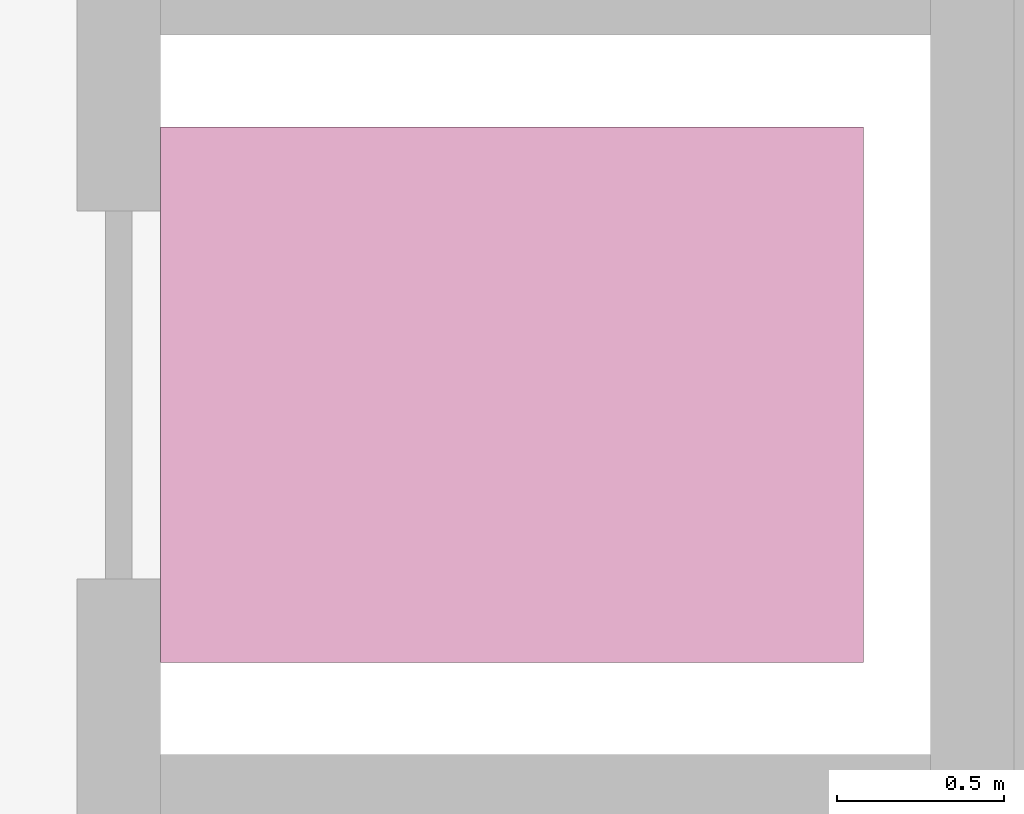
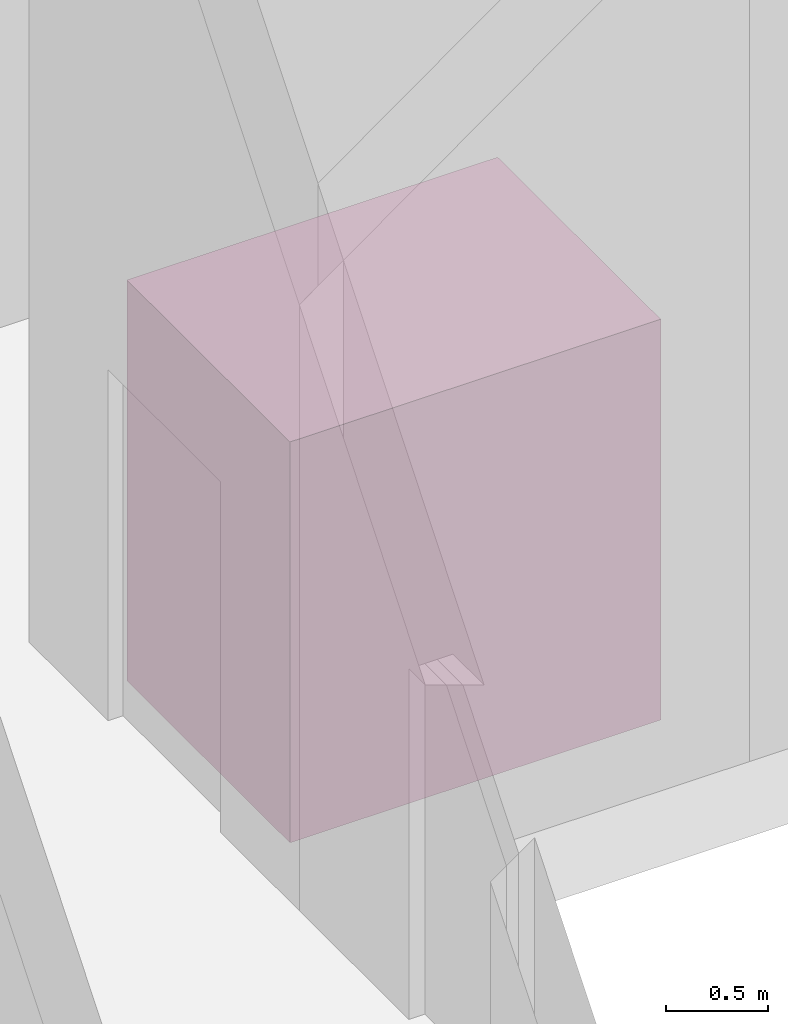
# One storey, part 76 of 76: 1 transport element.
"""IFC4 building model written with IfcOpenShell, lengths in metres."""

import ifcopenshell
import ifcopenshell.guid

model = None  # the IFC model being written
_history = None  # IfcOwnerHistory: only IFC2X3 demands one
_inside = {}  # id of a spatial element -> (the spatial element, [elements in it])
_under = {}  # id of a project, library or spatial element -> (it, [spatial elements below it])
_declared = {}  # id of a project -> (the project, [libraries it declares])
_typed = {}  # id of a type object -> (the type object, [elements of that type])
_made_of = {}  # id of a material, layer set ... -> (it, [elements and type objects made of it])


def new_model(schema):
    """Start an empty IFC model of exactly this schema.

    Asked for "IFC4X3", IfcOpenShell would pick the latest addendum, in which some entities
    have other attributes; the version numbers below select the first issue.
    IFC2X3 requires an IfcOwnerHistory on every rooted entity: one is made here for all.
    """
    global model, _history
    if schema == "IFC4X3":
        model = ifcopenshell.file(schema_version=(4, 3, 0, 0))
    else:
        model = ifcopenshell.file(schema=schema)
    _inside.clear()
    _under.clear()
    _declared.clear()
    _typed.clear()
    _made_of.clear()
    _history = None
    if model.schema == "IFC2X3":
        org = make("IfcOrganization", Name="unknown")
        user = make(
            "IfcPersonAndOrganization",
            ThePerson=make("IfcPerson", FamilyName="unknown"),
            TheOrganization=org,
        )
        app = make(
            "IfcApplication",
            ApplicationDeveloper=org,
            Version="unknown",
            ApplicationFullName="unknown",
            ApplicationIdentifier="unknown",
        )
        _history = make(
            "IfcOwnerHistory",
            OwningUser=user,
            OwningApplication=app,
            ChangeAction="ADDED",
            CreationDate=0,
        )
    return model


def make(cls, **values):
    """One entity of the class cls with the attributes given. An attribute that is None is left unset."""
    return model.create_entity(
        cls, **{name: value for name, value in values.items() if value is not None}
    )


def rooted(cls, **values):
    """An entity with a GlobalId (a new one), such as an element, a storey or a relation."""
    return make(cls, GlobalId=ifcopenshell.guid.new(), OwnerHistory=_history, **values)


def si_unit(unit_type, name, prefix=None):
    """IfcSIUnit, for example si_unit("LENGTHUNIT", "METRE", prefix="MILLI")."""
    return make("IfcSIUnit", UnitType=unit_type, Prefix=prefix, Name=name)


def assignment(units):
    """IfcUnitAssignment: the units of a project."""
    return None if units is None else make("IfcUnitAssignment", Units=units)


def point(xyz):
    """IfcCartesianPoint."""
    return None if xyz is None else make("IfcCartesianPoint", Coordinates=xyz)


def direction(xyz):
    """IfcDirection."""
    return None if xyz is None else make("IfcDirection", DirectionRatios=xyz)


def frame(location, z_axis=None, x_axis=None):
    """IfcAxis2Placement3D, a coordinate frame: its origin and axes. An axis left out is left unset."""
    return make(
        "IfcAxis2Placement3D",
        Location=point(location),
        Axis=direction(z_axis),
        RefDirection=direction(x_axis),
    )


def frame_2d(location, x_axis=None):
    """IfcAxis2Placement2D, a coordinate frame in the plane: its origin and x axis."""
    return make(
        "IfcAxis2Placement2D", Location=point(location), RefDirection=direction(x_axis)
    )


def origin():
    """The frame at (0, 0, 0) with its axes left unset."""
    return frame((0.0, 0.0, 0.0))


def origin_2d():
    """The frame at (0, 0) in the plane with its x axis left unset."""
    return frame_2d((0.0, 0.0))


def place(relative_to, where):
    """IfcLocalPlacement: puts the frame where relative to a parent placement (None: the world)."""
    return make(
        "IfcLocalPlacement", PlacementRelTo=relative_to, RelativePlacement=where
    )


def context(
    kind, dimensions, precision=None, world=None, true_north=None, identifier=None
):
    """IfcGeometricRepresentationContext, for example the 3D "Model" context."""
    return make(
        "IfcGeometricRepresentationContext",
        ContextIdentifier=identifier,
        ContextType=kind,
        CoordinateSpaceDimension=dimensions,
        Precision=precision,
        WorldCoordinateSystem=world,
        TrueNorth=true_north,
    )


def subcontext(parent, identifier, kind, view, scale=None):
    """IfcGeometricRepresentationSubContext, for example "Body" below "Model"."""
    return make(
        "IfcGeometricRepresentationSubContext",
        ContextIdentifier=identifier,
        ContextType=kind,
        ParentContext=parent,
        TargetScale=scale,
        TargetView=view,
    )


def project(units=None, contexts=None):
    """IfcProject with its units and contexts."""
    return rooted(
        "IfcProject",
        Name="project",
        RepresentationContexts=contexts,
        UnitsInContext=assignment(units),
    )


def spatial(cls, under=None, at=None, **own):
    """A site, building, storey or space (cls), placed at a placement, below another one or the project."""
    s = rooted(cls, ObjectPlacement=at, **own)
    if under is not None:
        _under.setdefault(under.id(), (under, []))[1].append(s)
    return s


def profile(cls, at=None, kind="AREA", **sizes):
    """A parametric profile (cls). Its sizes go by their IFC names, for example OverallWidth=200.0."""
    return make(cls, ProfileType=kind, Position=at, **sizes)


def rectangle(**sizes):
    """IfcRectangleProfileDef."""
    return profile("IfcRectangleProfileDef", **sizes)


def extrude(swept, where, along, depth):
    """IfcExtrudedAreaSolid: the profile swept, set in the frame where, extruded along a direction by depth."""
    return make(
        "IfcExtrudedAreaSolid",
        SweptArea=swept,
        Position=where,
        ExtrudedDirection=direction(along),
        Depth=depth,
    )


def shape(context_of_items, identifier, shape_type, items):
    """IfcShapeRepresentation: the items that make up one representation, for example the "Body"."""
    return make(
        "IfcShapeRepresentation",
        ContextOfItems=context_of_items,
        RepresentationIdentifier=identifier,
        RepresentationType=shape_type,
        Items=items,
    )


def material(Name=None, Category=None):
    """IfcMaterial."""
    return make("IfcMaterial", Name=Name, Category=Category)


def made_of(thing, what):
    """Note that an element or type object is made of a material, layer set ...; save() writes the relation."""
    if what is not None:
        _made_of.setdefault(what.id(), (what, []))[1].append(thing)
    return thing


def type_object(cls, material=None, **own):
    """A type object (cls), such as IfcWallType, which elements share."""
    return made_of(rooted(cls, **own), material)


def element(
    cls,
    number,
    at=None,
    inside=None,
    cuts=None,
    type_object=None,
    material=None,
    context=None,
    identifier="Body",
    shape_type=None,
    held_by="IfcProductDefinitionShape",
    body=None,
    shapes=None,
    **own,
):
    """One element of the class cls, such as IfcWall. Its Tag is "e" and its number.

    at: its placement. inside: the storey or other place that contains it. cuts: it is an
    opening in that element (IfcRelVoidsElement). A single representation is given by context,
    identifier, shape_type and body (its items); several are given by shapes. held_by: the class
    of the entity that holds the representations. save() writes the other relations.
    """
    e = rooted(cls, Tag="e%d" % number, ObjectPlacement=at, **own)
    if body is not None:
        shapes = [shape(context, identifier, shape_type, body)]
    if shapes is not None:
        e.Representation = make(held_by, Representations=shapes)
    if inside is not None:
        _inside.setdefault(inside.id(), (inside, []))[1].append(e)
    if cuts is not None:
        rooted(
            "IfcRelVoidsElement", RelatingBuildingElement=cuts, RelatedOpeningElement=e
        )
    if type_object is not None:
        _typed.setdefault(type_object.id(), (type_object, []))[1].append(e)
    return made_of(e, material)


def aggregate(whole, parts):
    """IfcRelAggregates: a whole, such as a stair, and the parts it consists of."""
    return rooted("IfcRelAggregates", RelatingObject=whole, RelatedObjects=parts)


def save(model, path):
    """Write the relations noted so far, then the file.

    IfcRelAggregates (storeys below a building ...), IfcRelContainedInSpatialStructure (elements
    in a storey), IfcRelDefinesByType, IfcRelAssociatesMaterial and IfcRelDeclares: one each for
    every whole, place, type object, material and project.
    """
    for whole, parts in _under.values():
        aggregate(whole, parts)
    for where, things in _inside.values():
        rooted(
            "IfcRelContainedInSpatialStructure",
            RelatedElements=things,
            RelatingStructure=where,
        )
    for kind, things in _typed.values():
        rooted("IfcRelDefinesByType", RelatedObjects=things, RelatingType=kind)
    for what, things in _made_of.values():
        rooted("IfcRelAssociatesMaterial", RelatedObjects=things, RelatingMaterial=what)
    for by, libraries in _declared.values():
        rooted("IfcRelDeclares", RelatingContext=by, RelatedDefinitions=libraries)
    model.write(path)


model = new_model("IFC4")

# Units and contexts
model_context = context("Model", 3, precision=1e-05, world=origin(), true_north=direction((0.0, 1.0)))
body_context = subcontext(model_context, "Body", "Model", "MODEL_VIEW")
ifc_project = project(units=[si_unit("LENGTHUNIT", "METRE"), si_unit("AREAUNIT", "SQUARE_METRE"), si_unit("VOLUMEUNIT", "CUBIC_METRE"), si_unit("PLANEANGLEUNIT", "RADIAN"), si_unit("MASSUNIT", "GRAM", prefix="KILO")], contexts=[model_context])

# Site, building, storey
site_placement = place(None, origin())
site = spatial("IfcSite", under=ifc_project, at=site_placement, CompositionType="ELEMENT")
building_placement = place(site_placement, origin())
building = spatial("IfcBuilding", under=site, at=building_placement, Name="Hlaing Beacon Police Headquarters", CompositionType="ELEMENT")
storey_placement = place(building_placement, origin())
storey = spatial("IfcBuildingStorey", under=building, at=storey_placement, Name="L00", CompositionType="ELEMENT", Elevation=0.0)

# Transport element
ifc_material = material(Name="Stainless steel lift car", Category="steel")
transport_element_type = type_object("IfcTransportElementType", Name="Passenger lift 1600 kg", PredefinedType="ELEVATOR", material=ifc_material)
transport_element_placement = place(storey_placement, frame((99.10009765625, 80.074951171875, 0.0), z_axis=(0.0, 0.0, 1.0), x_axis=(1.0, 0.0, 0.0)))
element("IfcTransportElement", 1, at=transport_element_placement, inside=storey, type_object=transport_element_type, Name="Detainee lift DL1", PredefinedType="ELEVATOR", context=body_context, shape_type="SweptSolid", body=[
    extrude(rectangle(XDim=2.10009765625, YDim=1.60009765625, at=origin_2d()), origin(), (0.0, 0.0, 1.0), 2.39990234375),
])

save(model, "model.ifc")
